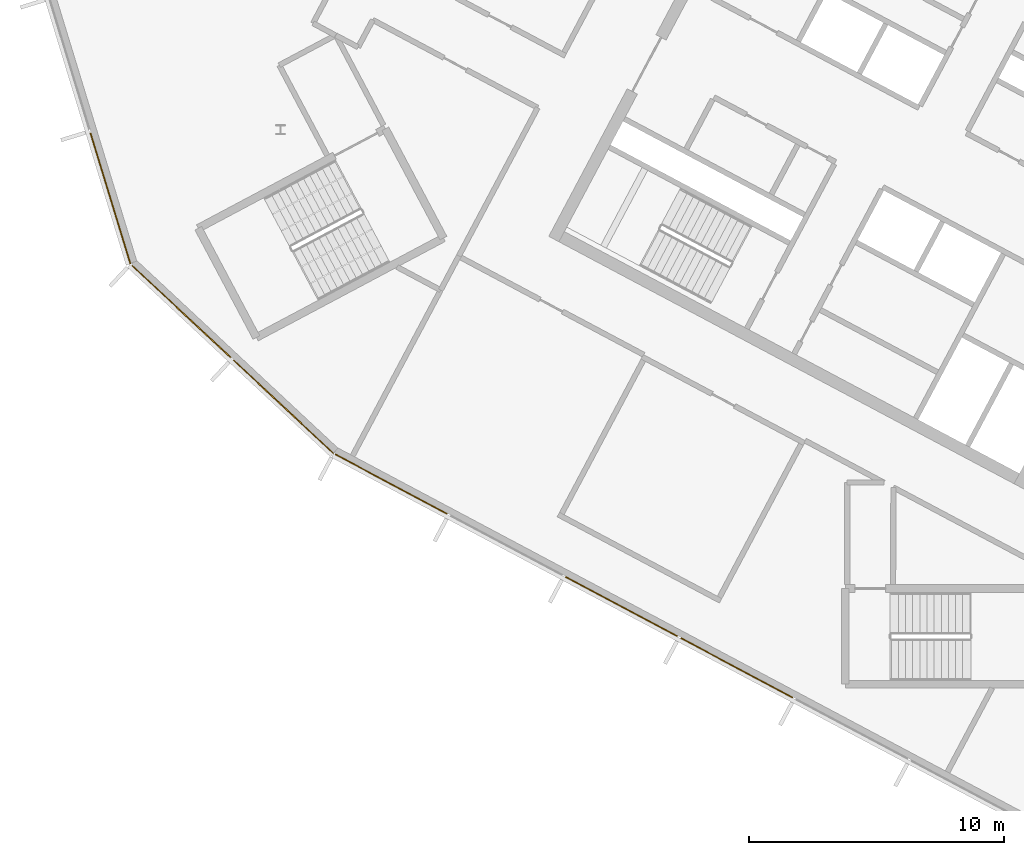
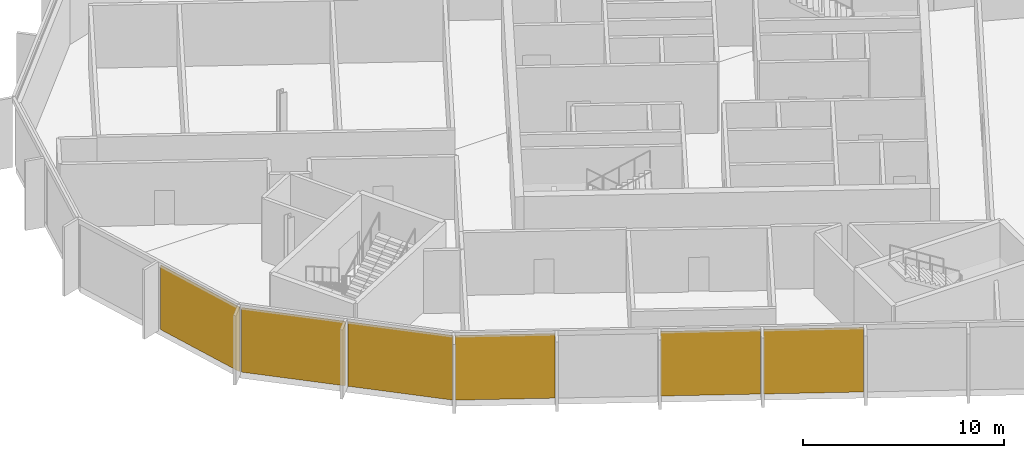
# One storey, part 10 of 16: 6 coverings, 3 elements without a shape of their own.
"""IFC4 building model written with IfcOpenShell, lengths in metres."""

from ifc_helpers import new_model, si_unit, direction, frame, origin, origin_2d, place, context, subcontext, project, spatial, rectangle, extrude, material, layer, layer_set, type_object, element, aggregate, save


model = new_model("IFC4")

# Units and contexts
model_context = context("Model", 3, precision=1e-05, world=origin(), true_north=direction((0.0, 1.0)))
body_context = subcontext(model_context, "Body", "Model", "MODEL_VIEW")
ifc_project = project(units=[si_unit("LENGTHUNIT", "METRE"), si_unit("AREAUNIT", "SQUARE_METRE"), si_unit("VOLUMEUNIT", "CUBIC_METRE"), si_unit("PLANEANGLEUNIT", "RADIAN"), si_unit("MASSUNIT", "GRAM", prefix="KILO")], contexts=[model_context])

# Site, building, storey
site_placement = place(None, origin())
site = spatial("IfcSite", under=ifc_project, at=site_placement, CompositionType="ELEMENT")
building_placement = place(site_placement, origin())
building = spatial("IfcBuilding", under=site, at=building_placement, Name="Cormorant Relay Tower", CompositionType="ELEMENT")
storey_placement = place(building_placement, frame((0.0, 0.0, 328.199951171875)))
storey = spatial("IfcBuildingStorey", under=building, at=storey_placement, Name="C1", CompositionType="ELEMENT", Elevation=328.199951171875)

# Curtain wall, coverings
ifc_material_1 = material(Name="Aluminium 6063-T6 anodised bronze", Category="aluminium")
ifc_layer_1 = layer(ifc_material_1, 0.199951171875)
ifc_layer_set_1 = layer_set([ifc_layer_1], Name="CW3 crown screen wall")
curtain_wall_type = type_object("IfcCurtainWallType", Name="CW3 crown screen wall", PredefinedType="NOTDEFINED", material=ifc_layer_set_1)
curtain_wall_1_placement = place(storey_placement, origin())
curtain_wall_1 = element("IfcCurtainWall", 1, at=curtain_wall_1_placement, inside=storey, type_object=curtain_wall_type, Name="CW3 curtain wall 1", PredefinedType="NOTDEFINED")
ifc_material_2 = material(Name="Perforated bronze anodised aluminium screen", Category="aluminium")
ifc_layer_2 = layer(ifc_material_2, 0.0400390625)
ifc_layer_set_2 = layer_set([ifc_layer_2], Name="CW3 perforated bronze screen panel 40")
covering_type = type_object("IfcCoveringType", Name="CW3 perforated bronze screen panel 40", PredefinedType="CLADDING", material=ifc_layer_set_2)
covering_1_placement = place(storey_placement, frame((-47.344482421875, 1.366943359375, 0.0), z_axis=(0.0, 0.0, 1.0), x_axis=(0.882947592859, -0.469471562786, 0.0)))
covering_1 = element("IfcCovering", 2, at=covering_1_placement, type_object=covering_type, Name="CW3 panel X00", PredefinedType="CLADDING", context=body_context, shape_type="SweptSolid", body=[
    extrude(rectangle(XDim=4.961181640625, YDim=0.0400390625, at=origin_2d()), origin(), (0.0, 0.0, 1.0), 3.89990234375),
])
covering_2_placement = place(storey_placement, frame((-38.31884765625, -3.43212890625, 0.0), z_axis=(0.0, 0.0, 1.0), x_axis=(0.882947592859, -0.469471562786, 0.0)))
covering_2 = element("IfcCovering", 3, at=covering_2_placement, type_object=covering_type, Name="CW3 panel X02", PredefinedType="CLADDING", context=body_context, shape_type="SweptSolid", body=[
    extrude(rectangle(XDim=4.961181640625, YDim=0.0400390625, at=origin_2d()), origin(), (0.0, 0.0, 1.0), 3.89990234375),
])
covering_3_placement = place(storey_placement, frame((-33.80615234375, -5.83154296875, 0.0), z_axis=(0.0, 0.0, 1.0), x_axis=(0.882947592859, -0.469471562786, 0.0)))
covering_3 = element("IfcCovering", 4, at=covering_3_placement, type_object=covering_type, Name="CW3 panel X03", PredefinedType="CLADDING", context=body_context, shape_type="SweptSolid", body=[
    extrude(rectangle(XDim=4.961181640625, YDim=0.0400390625, at=origin_2d()), origin(), (0.0, 0.0, 1.0), 3.89990234375),
])
aggregate(curtain_wall_1, [covering_1, covering_2, covering_3])

# Curtain wall, covering
curtain_wall_2_placement = place(storey_placement, origin())
curtain_wall_2 = element("IfcCurtainWall", 5, at=curtain_wall_2_placement, inside=storey, type_object=curtain_wall_type, Name="CW3 curtain wall 20", PredefinedType="NOTDEFINED")
covering_4_placement = place(storey_placement, frame((-58.344482421875, 12.55517578125, 0.0), z_axis=(0.0, 0.0, 1.0), x_axis=(0.292371704723, -0.956304755963, 0.0)))
covering_4 = element("IfcCovering", 6, at=covering_4_placement, type_object=covering_type, Name="CW3 panel X01", PredefinedType="CLADDING", context=body_context, shape_type="SweptSolid", body=[
    extrude(rectangle(XDim=5.360107421875, YDim=0.0400390625, at=origin_2d()), origin(), (0.0, 0.0, 1.0), 3.89990234375),
])
aggregate(curtain_wall_2, [covering_4])

# Curtain wall, coverings
curtain_wall_3_placement = place(storey_placement, origin())
curtain_wall_3 = element("IfcCurtainWall", 7, at=curtain_wall_3_placement, inside=storey, type_object=curtain_wall_type, Name="CW3 curtain wall 21", PredefinedType="NOTDEFINED")
covering_5_placement = place(storey_placement, frame((-55.56787109375, 8.1298828125, 0.0), z_axis=(0.0, 0.0, 1.0), x_axis=(0.731353701619, -0.681998360062, 0.0)))
covering_5 = element("IfcCovering", 8, at=covering_5_placement, type_object=covering_type, Name="CW3 panel X00", PredefinedType="CLADDING", context=body_context, shape_type="SweptSolid", body=[
    extrude(rectangle(XDim=5.28515625, YDim=0.0400390625, at=origin_2d()), origin(), (0.0, 0.0, 1.0), 3.89990234375),
])
covering_6_placement = place(storey_placement, frame((-51.565185546875, 4.3974609375, 0.0), z_axis=(0.0, 0.0, 1.0), x_axis=(0.731353701619, -0.681998360062, 0.0)))
covering_6 = element("IfcCovering", 9, at=covering_6_placement, type_object=covering_type, Name="CW3 panel X01", PredefinedType="CLADDING", context=body_context, shape_type="SweptSolid", body=[
    extrude(rectangle(XDim=5.360107421875, YDim=0.0400390625, at=origin_2d()), origin(), (0.0, 0.0, 1.0), 3.89990234375),
])
aggregate(curtain_wall_3, [covering_5, covering_6])

save(model, "model.ifc")
